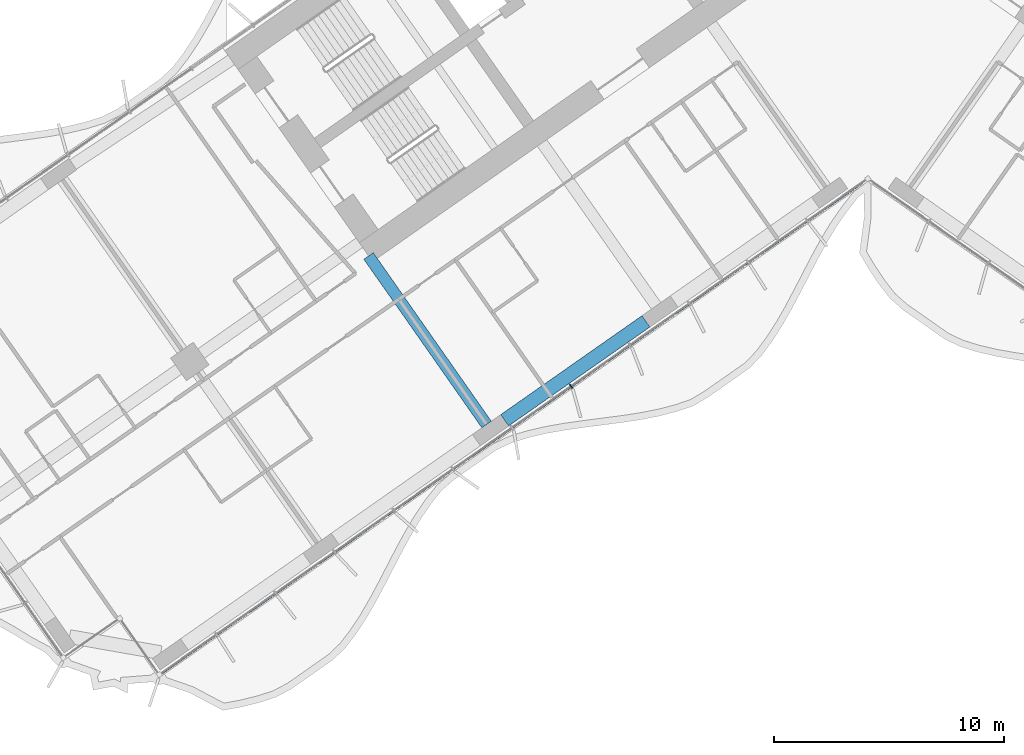
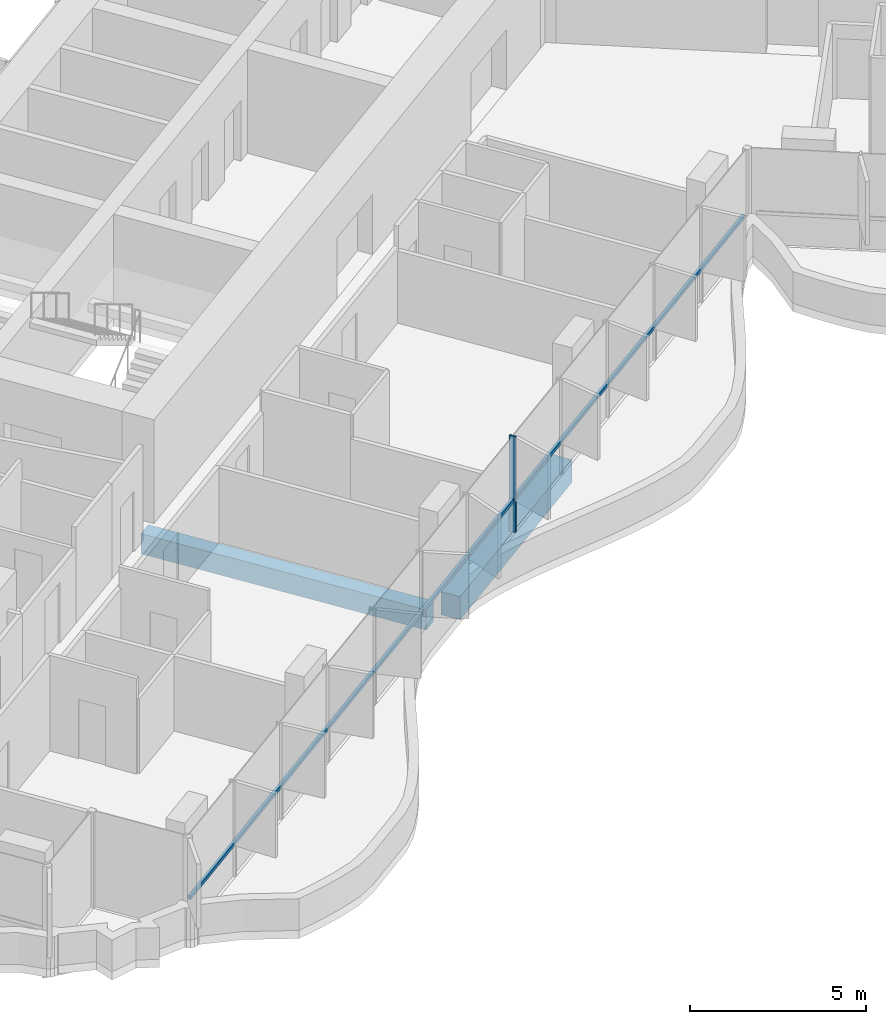
# One storey, part 3 of 25: 2 beams, 2 members, 1 element without a shape of its own.
"""IFC4 building model written with IfcOpenShell, lengths in metres."""

from ifc_helpers import new_model, si_unit, direction, frame, origin, origin_2d, place, context, subcontext, project, spatial, rectangle, extrude, material, material_profile, profile_set, type_object, element, aggregate, save


model = new_model("IFC4")

# Units and contexts
model_context = context("Model", 3, precision=1e-05, world=origin(), true_north=direction((0.0, 1.0)))
body_context = subcontext(model_context, "Body", "Model", "MODEL_VIEW")
ifc_project = project(units=[si_unit("LENGTHUNIT", "METRE"), si_unit("AREAUNIT", "SQUARE_METRE"), si_unit("VOLUMEUNIT", "CUBIC_METRE"), si_unit("PLANEANGLEUNIT", "RADIAN"), si_unit("MASSUNIT", "GRAM", prefix="KILO")], contexts=[model_context])

# Site, building, storey
site_placement = place(None, origin())
site = spatial("IfcSite", under=ifc_project, at=site_placement, CompositionType="ELEMENT")
building_placement = place(site_placement, origin())
building = spatial("IfcBuilding", under=site, at=building_placement, Name="Tel Ilan Convention Tower", CompositionType="ELEMENT")
storey_placement = place(building_placement, frame((0.0, 0.0, 76.10009765625)))
storey = spatial("IfcBuildingStorey", under=building, at=storey_placement, Name="L14", CompositionType="ELEMENT", Elevation=76.10009765625)

# Beams
ifc_material_1 = material(Name="Concrete C40/50", Category="concrete")
ifc_material_profile_1 = material_profile(ifc_material_1, rectangle(XDim=0.5, YDim=0.699951171875, at=origin_2d()), Name="RC 500x700")
ifc_profile_set_1 = profile_set([ifc_material_profile_1], Name="Concrete C40/50")
beam_type_1 = type_object("IfcBeamType", Name="Beam RC 500x700 Concrete C40/50", PredefinedType="BEAM", material=ifc_profile_set_1)
beam_1_placement = place(storey_placement, frame((-16.58203125, -23.391357421875, -0.630126953125), z_axis=(-0.573584999642, 0.819146048141, 0.0), x_axis=(-0.819146048141, -0.573584999642, 0.0)))
element("IfcBeam", 1, at=beam_1_placement, inside=storey, type_object=beam_type_1, Name="L14 beam W-W-F3-core", PredefinedType="BEAM", context=body_context, shape_type="SweptSolid", body=[
    extrude(rectangle(XDim=0.5, YDim=0.699951171875, at=origin_2d()), origin(), (0.0, 0.0, 1.0), 8.949951171875),
])
ifc_material_2 = material(Name="Concrete C40/50", Category="concrete")
ifc_material_profile_2 = material_profile(ifc_material_2, rectangle(XDim=0.60009765625, YDim=0.800048828125, at=origin_2d()), Name="RC 600x800")
ifc_profile_set_2 = profile_set([ifc_material_profile_2], Name="Concrete C40/50")
beam_type_2 = type_object("IfcBeamType", Name="Beam RC 600x800 Concrete C40/50", PredefinedType="BEAM", material=ifc_profile_set_2)
beam_2_placement = place(storey_placement, frame((-9.652099609375, -18.905029296875, -0.68017578125), z_axis=(-0.81915238829, -0.573575945067, 0.0), x_axis=(0.573575945067, -0.81915238829, 0.0)))
element("IfcBeam", 2, at=beam_2_placement, inside=storey, type_object=beam_type_2, Name="L14 beam W-W-F2-W-F3", PredefinedType="BEAM", context=body_context, shape_type="SweptSolid", body=[
    extrude(rectangle(XDim=0.60009765625, YDim=0.800048828125, at=origin_2d()), origin(), (0.0, 0.0, 1.0), 7.5),
])

# Curtain wall, members
ifc_material_3 = material(Name="Aluminium, bronze anodised", Category="aluminium")
curtain_wall_type = type_object("IfcCurtainWallType", Name="CW1 UNITISED CURTAIN WALL, HOTEL TINTED GLASS", PredefinedType="NOTDEFINED", material=ifc_material_3)
curtain_wall_placement = place(storey_placement, origin())
curtain_wall = element("IfcCurtainWall", 3, at=curtain_wall_placement, inside=storey, type_object=curtain_wall_type, Name="Curtain wall CW1-14.06", PredefinedType="NOTDEFINED")
ifc_material_4 = material(Name="Aluminium, bronze anodised", Category="aluminium")
ifc_material_profile_3 = material_profile(ifc_material_4, rectangle(XDim=0.06005859375, YDim=0.199951171875, at=origin_2d()), Name="CW MULLION 60x200")
ifc_profile_set_3 = profile_set([ifc_material_profile_3], Name="Aluminium, bronze anodised")
member_type_1 = type_object("IfcMemberType", Name="CW MULLION 60x200", PredefinedType="MULLION", material=ifc_profile_set_3)
member_1_placement = place(storey_placement, frame((-12.906982421875, -21.733642578125, 0.0), z_axis=(0.0, 0.0, 1.0), x_axis=(0.819152044289, 0.573576436351, 0.0)))
member_1 = element("IfcMember", 4, at=member_1_placement, type_object=member_type_1, Name="Mullion", PredefinedType="MULLION", context=body_context, shape_type="SweptSolid", body=[
    extrude(rectangle(XDim=0.06005859375, YDim=0.199951171875, at=origin_2d()), origin(), (0.0, 0.0, 1.0), 3.31982421875),
])
ifc_material_5 = material(Name="Aluminium, bronze anodised", Category="aluminium")
ifc_material_profile_4 = material_profile(ifc_material_5, rectangle(XDim=0.10009765625, YDim=0.1201171875, at=origin_2d()), Name="CW TRANSOM 100x120")
ifc_profile_set_4 = profile_set([ifc_material_profile_4], Name="Aluminium, bronze anodised")
member_type_2 = type_object("IfcMemberType", Name="CW TRANSOM 100x120", PredefinedType="USERDEFINED", material=ifc_profile_set_4)
member_2_placement = place(storey_placement, frame((-30.73291015625, -34.21533203125, 1.099853515625), z_axis=(0.819152467103, 0.57357583251, 0.0), x_axis=(-0.57357583251, 0.819152467103, 0.0)))
member_2 = element("IfcMember", 5, at=member_2_placement, type_object=member_type_2, Name="Transom", ObjectType="TRANSOM", PredefinedType="USERDEFINED", context=body_context, shape_type="SweptSolid", body=[
    extrude(rectangle(XDim=0.10009765625, YDim=0.1201171875, at=origin_2d()), origin(), (0.0, 0.0, 1.0), 37.247802734375),
])
aggregate(curtain_wall, [member_1, member_2])

save(model, "model.ifc")
